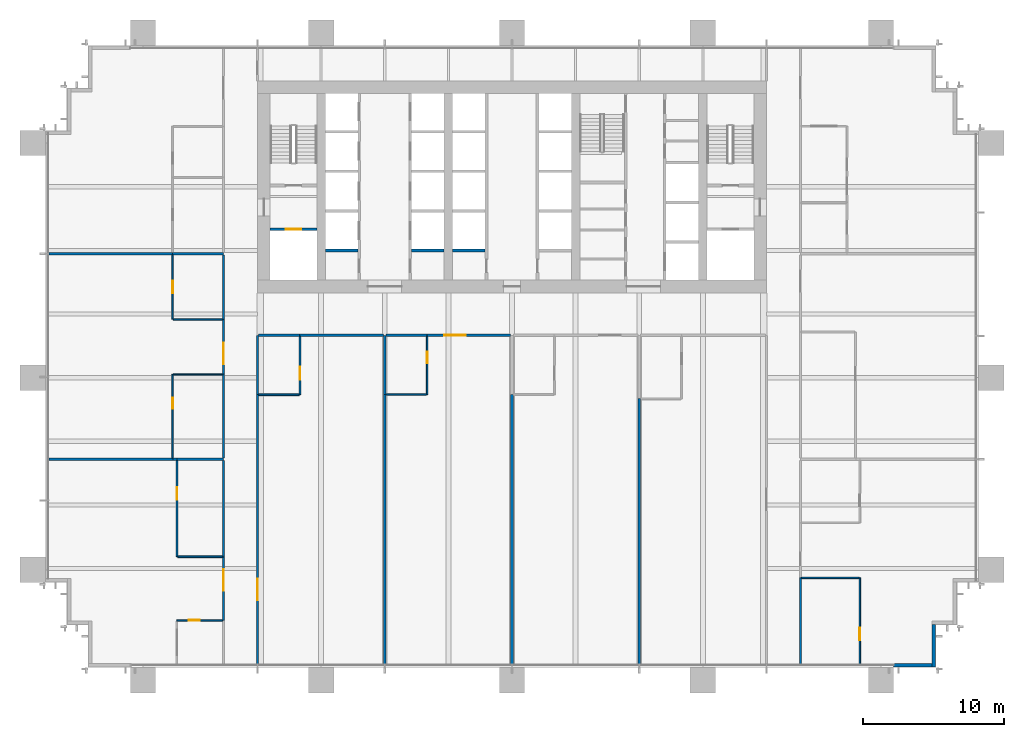
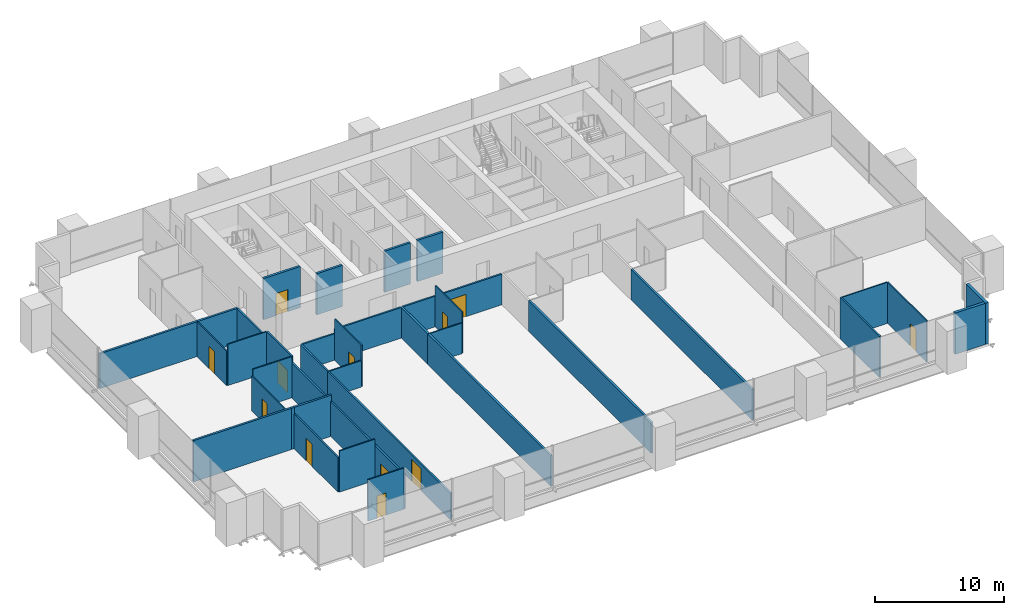
# One storey, part 11 of 17: 40 walls, 12 doors, 12 openings.
"""IFC4 building model written with IfcOpenShell, lengths in metres."""

import ifcopenshell
import ifcopenshell.guid

model = None  # the IFC model being written
_history = None  # IfcOwnerHistory: only IFC2X3 demands one
_inside = {}  # id of a spatial element -> (the spatial element, [elements in it])
_under = {}  # id of a project, library or spatial element -> (it, [spatial elements below it])
_declared = {}  # id of a project -> (the project, [libraries it declares])
_typed = {}  # id of a type object -> (the type object, [elements of that type])
_made_of = {}  # id of a material, layer set ... -> (it, [elements and type objects made of it])


def new_model(schema):
    """Start an empty IFC model of exactly this schema.

    Asked for "IFC4X3", IfcOpenShell would pick the latest addendum, in which some entities
    have other attributes; the version numbers below select the first issue.
    IFC2X3 requires an IfcOwnerHistory on every rooted entity: one is made here for all.
    """
    global model, _history
    if schema == "IFC4X3":
        model = ifcopenshell.file(schema_version=(4, 3, 0, 0))
    else:
        model = ifcopenshell.file(schema=schema)
    _inside.clear()
    _under.clear()
    _declared.clear()
    _typed.clear()
    _made_of.clear()
    _history = None
    if model.schema == "IFC2X3":
        org = make("IfcOrganization", Name="unknown")
        user = make(
            "IfcPersonAndOrganization",
            ThePerson=make("IfcPerson", FamilyName="unknown"),
            TheOrganization=org,
        )
        app = make(
            "IfcApplication",
            ApplicationDeveloper=org,
            Version="unknown",
            ApplicationFullName="unknown",
            ApplicationIdentifier="unknown",
        )
        _history = make(
            "IfcOwnerHistory",
            OwningUser=user,
            OwningApplication=app,
            ChangeAction="ADDED",
            CreationDate=0,
        )
    return model


def make(cls, **values):
    """One entity of the class cls with the attributes given. An attribute that is None is left unset."""
    return model.create_entity(
        cls, **{name: value for name, value in values.items() if value is not None}
    )


def rooted(cls, **values):
    """An entity with a GlobalId (a new one), such as an element, a storey or a relation."""
    return make(cls, GlobalId=ifcopenshell.guid.new(), OwnerHistory=_history, **values)


def si_unit(unit_type, name, prefix=None):
    """IfcSIUnit, for example si_unit("LENGTHUNIT", "METRE", prefix="MILLI")."""
    return make("IfcSIUnit", UnitType=unit_type, Prefix=prefix, Name=name)


def assignment(units):
    """IfcUnitAssignment: the units of a project."""
    return None if units is None else make("IfcUnitAssignment", Units=units)


def point(xyz):
    """IfcCartesianPoint."""
    return None if xyz is None else make("IfcCartesianPoint", Coordinates=xyz)


def direction(xyz):
    """IfcDirection."""
    return None if xyz is None else make("IfcDirection", DirectionRatios=xyz)


def frame(location, z_axis=None, x_axis=None):
    """IfcAxis2Placement3D, a coordinate frame: its origin and axes. An axis left out is left unset."""
    return make(
        "IfcAxis2Placement3D",
        Location=point(location),
        Axis=direction(z_axis),
        RefDirection=direction(x_axis),
    )


def frame_2d(location, x_axis=None):
    """IfcAxis2Placement2D, a coordinate frame in the plane: its origin and x axis."""
    return make(
        "IfcAxis2Placement2D", Location=point(location), RefDirection=direction(x_axis)
    )


def origin():
    """The frame at (0, 0, 0) with its axes left unset."""
    return frame((0.0, 0.0, 0.0))


def place(relative_to, where):
    """IfcLocalPlacement: puts the frame where relative to a parent placement (None: the world)."""
    return make(
        "IfcLocalPlacement", PlacementRelTo=relative_to, RelativePlacement=where
    )


def context(
    kind, dimensions, precision=None, world=None, true_north=None, identifier=None
):
    """IfcGeometricRepresentationContext, for example the 3D "Model" context."""
    return make(
        "IfcGeometricRepresentationContext",
        ContextIdentifier=identifier,
        ContextType=kind,
        CoordinateSpaceDimension=dimensions,
        Precision=precision,
        WorldCoordinateSystem=world,
        TrueNorth=true_north,
    )


def subcontext(parent, identifier, kind, view, scale=None):
    """IfcGeometricRepresentationSubContext, for example "Body" below "Model"."""
    return make(
        "IfcGeometricRepresentationSubContext",
        ContextIdentifier=identifier,
        ContextType=kind,
        ParentContext=parent,
        TargetScale=scale,
        TargetView=view,
    )


def project(units=None, contexts=None):
    """IfcProject with its units and contexts."""
    return rooted(
        "IfcProject",
        Name="project",
        RepresentationContexts=contexts,
        UnitsInContext=assignment(units),
    )


def spatial(cls, under=None, at=None, **own):
    """A site, building, storey or space (cls), placed at a placement, below another one or the project."""
    s = rooted(cls, ObjectPlacement=at, **own)
    if under is not None:
        _under.setdefault(under.id(), (under, []))[1].append(s)
    return s


def profile(cls, at=None, kind="AREA", **sizes):
    """A parametric profile (cls). Its sizes go by their IFC names, for example OverallWidth=200.0."""
    return make(cls, ProfileType=kind, Position=at, **sizes)


def rectangle(**sizes):
    """IfcRectangleProfileDef."""
    return profile("IfcRectangleProfileDef", **sizes)


def extrude(swept, where, along, depth):
    """IfcExtrudedAreaSolid: the profile swept, set in the frame where, extruded along a direction by depth."""
    return make(
        "IfcExtrudedAreaSolid",
        SweptArea=swept,
        Position=where,
        ExtrudedDirection=direction(along),
        Depth=depth,
    )


def shape(context_of_items, identifier, shape_type, items):
    """IfcShapeRepresentation: the items that make up one representation, for example the "Body"."""
    return make(
        "IfcShapeRepresentation",
        ContextOfItems=context_of_items,
        RepresentationIdentifier=identifier,
        RepresentationType=shape_type,
        Items=items,
    )


def material(Name=None, Category=None):
    """IfcMaterial."""
    return make("IfcMaterial", Name=Name, Category=Category)


def layer(
    of_material, thickness, ventilated=None, Name=None, Category=None, Priority=None
):
    """IfcMaterialLayer: one layer of a wall or slab, of a material (None: an air gap)."""
    return make(
        "IfcMaterialLayer",
        Material=of_material,
        LayerThickness=thickness,
        IsVentilated=ventilated,
        Name=Name,
        Category=Category,
        Priority=Priority,
    )


def layer_set(layers, Name=None):
    """IfcMaterialLayerSet."""
    return make("IfcMaterialLayerSet", MaterialLayers=layers, LayerSetName=Name)


def made_of(thing, what):
    """Note that an element or type object is made of a material, layer set ...; save() writes the relation."""
    if what is not None:
        _made_of.setdefault(what.id(), (what, []))[1].append(thing)
    return thing


def type_object(cls, material=None, **own):
    """A type object (cls), such as IfcWallType, which elements share."""
    return made_of(rooted(cls, **own), material)


def element(
    cls,
    number,
    at=None,
    inside=None,
    cuts=None,
    type_object=None,
    material=None,
    context=None,
    identifier="Body",
    shape_type=None,
    held_by="IfcProductDefinitionShape",
    body=None,
    shapes=None,
    **own,
):
    """One element of the class cls, such as IfcWall. Its Tag is "e" and its number.

    at: its placement. inside: the storey or other place that contains it. cuts: it is an
    opening in that element (IfcRelVoidsElement). A single representation is given by context,
    identifier, shape_type and body (its items); several are given by shapes. held_by: the class
    of the entity that holds the representations. save() writes the other relations.
    """
    e = rooted(cls, Tag="e%d" % number, ObjectPlacement=at, **own)
    if body is not None:
        shapes = [shape(context, identifier, shape_type, body)]
    if shapes is not None:
        e.Representation = make(held_by, Representations=shapes)
    if inside is not None:
        _inside.setdefault(inside.id(), (inside, []))[1].append(e)
    if cuts is not None:
        rooted(
            "IfcRelVoidsElement", RelatingBuildingElement=cuts, RelatedOpeningElement=e
        )
    if type_object is not None:
        _typed.setdefault(type_object.id(), (type_object, []))[1].append(e)
    return made_of(e, material)


def fill(opening, filler):
    """IfcRelFillsElement: the door or window that sits in an opening."""
    return rooted(
        "IfcRelFillsElement",
        RelatingOpeningElement=opening,
        RelatedBuildingElement=filler,
    )


def aggregate(whole, parts):
    """IfcRelAggregates: a whole, such as a stair, and the parts it consists of."""
    return rooted("IfcRelAggregates", RelatingObject=whole, RelatedObjects=parts)


def save(model, path):
    """Write the relations noted so far, then the file.

    IfcRelAggregates (storeys below a building ...), IfcRelContainedInSpatialStructure (elements
    in a storey), IfcRelDefinesByType, IfcRelAssociatesMaterial and IfcRelDeclares: one each for
    every whole, place, type object, material and project.
    """
    for whole, parts in _under.values():
        aggregate(whole, parts)
    for where, things in _inside.values():
        rooted(
            "IfcRelContainedInSpatialStructure",
            RelatedElements=things,
            RelatingStructure=where,
        )
    for kind, things in _typed.values():
        rooted("IfcRelDefinesByType", RelatedObjects=things, RelatingType=kind)
    for what, things in _made_of.values():
        rooted("IfcRelAssociatesMaterial", RelatedObjects=things, RelatingMaterial=what)
    for by, libraries in _declared.values():
        rooted("IfcRelDeclares", RelatingContext=by, RelatedDefinitions=libraries)
    model.write(path)


model = new_model("IFC4")

# Units and contexts
model_context = context("Model", 3, precision=1e-05, world=origin(), true_north=direction((0.0, 1.0)))
body_context = subcontext(model_context, "Body", "Model", "MODEL_VIEW")
ifc_project = project(units=[si_unit("LENGTHUNIT", "METRE"), si_unit("AREAUNIT", "SQUARE_METRE"), si_unit("VOLUMEUNIT", "CUBIC_METRE"), si_unit("PLANEANGLEUNIT", "RADIAN"), si_unit("MASSUNIT", "GRAM", prefix="KILO")], contexts=[model_context])

# Site, building, storey
site_placement = place(None, origin())
site = spatial("IfcSite", under=ifc_project, at=site_placement, CompositionType="ELEMENT")
building_placement = place(site_placement, origin())
building = spatial("IfcBuilding", under=site, at=building_placement, Name="Rattan Terrace Tower", CompositionType="ELEMENT")
storey_placement = place(building_placement, frame((0.0, 0.0, 61.10009765625)))
storey = spatial("IfcBuildingStorey", under=building, at=storey_placement, Name="L13", CompositionType="ELEMENT", Elevation=61.10009765625)

# Wall, opening, door
ifc_material_1 = material(Name="Gypsum board partition")
ifc_layer_1 = layer(ifc_material_1, 0.199951171875)
ifc_layer_set_1 = layer_set([ifc_layer_1], Name="Core partition 200")
wall_type_1 = type_object("IfcWallType", Name="Core partition 200", PredefinedType="PARTITIONING", material=ifc_layer_set_1)
wall_1_placement = place(storey_placement, frame((-17.10009765625, -3.0, 0.0), z_axis=(0.0, 0.0, 1.0), x_axis=(1.0, 0.0, 0.0)))
wall_1 = element("IfcWall", 1, at=wall_1_placement, inside=storey, type_object=wall_type_1, Name="Fire-fighting lobby wall", PredefinedType="PARTITIONING", context=body_context, shape_type="SweptSolid", body=[
    extrude(rectangle(XDim=3.300048828125, YDim=0.199951171875, at=frame_2d((1.64990234375, 0.0))), origin(), (0.0, 0.0, 1.0), 3.89990234375),
])
opening_1_placement = place(wall_1_placement, frame((1.10009765625, 0.0, 0.0)))
opening_1 = element("IfcOpeningElement", 2, at=opening_1_placement, cuts=wall_1, Name="Opening L13-LD-FF1", PredefinedType="OPENING", context=body_context, shape_type="SweptSolid", body=[
    extrude(rectangle(XDim=1.10009765625, YDim=2.10009765625, at=frame_2d((0.550048828125, 1.050048828125))), frame((0.0, 0.110595703125, 0.0), z_axis=(0.0, -1.0, 0.0), x_axis=(1.0, 0.0, 0.0)), (0.0, 0.0, 1.0), 0.220947265625),
])
ifc_material_2 = material(Name="Brushed stainless landing door panel")
door_type_1 = type_object("IfcDoorType", Name="Core lift landing door 1100", OperationType="DOUBLE_DOOR_SLIDING", PredefinedType="DOOR", material=ifc_material_2)
door_1_placement = place(opening_1_placement, origin())
door_1 = element("IfcDoor", 3, at=door_1_placement, inside=storey, type_object=door_type_1, Name="Door L13-LD-FF1", OperationType="DOUBLE_DOOR_SLIDING", OverallHeight=2.10009765625, OverallWidth=1.10009765625, PredefinedType="DOOR", context=body_context, shape_type="SweptSolid", body=[
    extrude(rectangle(XDim=1.10009765625, YDim=2.10009765625, at=frame_2d((0.550048828125, 1.050048828125))), frame((0.0, 0.02490234375, 0.0), z_axis=(0.0, -1.0, 0.0), x_axis=(1.0, 0.0, 0.0)), (0.0, 0.0, 1.0), 0.050048828125),
])
fill(opening_1, door_1)

# Walls
ifc_material_3 = material(Name="Insulated aluminium-clad stud wall", Category="aluminium")
ifc_layer_2 = layer(ifc_material_3, 0.25)
ifc_layer_set_2 = layer_set([ifc_layer_2], Name="Facade Riser Wall 250")
wall_type_2 = type_object("IfcWallType", Name="Facade Riser Wall 250", PredefinedType="SOLIDWALL", material=ifc_layer_set_2)
wall_2_placement = place(storey_placement, frame((27.0, -33.830078125, 0.0), z_axis=(0.0, 0.0, 1.0), x_axis=(1.0, 0.0, 0.0)))
element("IfcWall", 4, at=wall_2_placement, inside=storey, type_object=wall_type_2, Name="Riser wall L13-1", PredefinedType="SOLIDWALL", context=body_context, shape_type="SweptSolid", body=[
    extrude(rectangle(XDim=2.705078125, YDim=0.25, at=frame_2d((1.3525390625, 0.0))), origin(), (0.0, 0.0, 1.0), 3.89990234375),
])
wall_3_placement = place(storey_placement, frame((29.830078125, -33.955078125, 0.0), z_axis=(0.0, 0.0, 1.0), x_axis=(0.0, 1.0, 0.0)))
element("IfcWall", 5, at=wall_3_placement, inside=storey, type_object=wall_type_2, Name="Riser wall L13-2", PredefinedType="SOLIDWALL", context=body_context, shape_type="SweptSolid", body=[
    extrude(rectangle(XDim=3.0, YDim=0.25, at=frame_2d((1.5, 0.0))), origin(), (0.0, 0.0, 1.0), 3.89990234375),
])
ifc_material_4 = material(Name="Double steel stud acoustic partition, gypsum board, mineral wool, fire rated", Category="steel")
ifc_layer_3 = layer(ifc_material_4, 0.179931640625)
ifc_layer_set_3 = layer_set([ifc_layer_3], Name="Floors Acoustic Party Wall 180")
wall_type_3 = type_object("IfcWallType", Name="Floors Acoustic Party Wall 180", PredefinedType="PARTITIONING", material=ifc_layer_set_3)
wall_4_placement = place(storey_placement, frame((-32.739990234375, -19.27294921875, 0.0), z_axis=(0.0, 0.0, 1.0), x_axis=(1.0, 0.0, 0.0)))
element("IfcWall", 6, at=wall_4_placement, inside=storey, type_object=wall_type_3, Name="pt-L13-035", PredefinedType="PARTITIONING", context=body_context, shape_type="SweptSolid", body=[
    extrude(rectangle(XDim=8.760009765625, YDim=0.179931640625, at=frame_2d((4.3798828125, 0.0))), origin(), (0.0, 0.0, 1.0), 3.89990234375),
])
wall_5_placement = place(storey_placement, frame((-23.97998046875, -19.27294921875, 0.0), z_axis=(0.0, 0.0, 1.0), x_axis=(1.0, 0.0, 0.0)))
element("IfcWall", 7, at=wall_5_placement, inside=storey, type_object=wall_type_3, Name="pt-L13-036", PredefinedType="PARTITIONING", context=body_context, shape_type="SweptSolid", body=[
    extrude(rectangle(XDim=0.280029296875, YDim=0.179931640625, at=frame_2d((0.14013671875, 0.0))), origin(), (0.0, 0.0, 1.0), 3.89990234375),
])
wall_6_placement = place(storey_placement, frame((-23.699951171875, -19.27294921875, 0.0), z_axis=(0.0, 0.0, 1.0), x_axis=(1.0, 0.0, 0.0)))
element("IfcWall", 8, at=wall_6_placement, inside=storey, type_object=wall_type_3, Name="pt-L13-037", PredefinedType="PARTITIONING", context=body_context, shape_type="SweptSolid", body=[
    extrude(rectangle(XDim=3.300048828125, YDim=0.179931640625, at=frame_2d((1.64990234375, 0.0))), origin(), (0.0, 0.0, 1.0), 3.89990234375),
])
wall_7_placement = place(storey_placement, frame((-32.739990234375, -4.72705078125, 0.0), z_axis=(0.0, 0.0, 1.0), x_axis=(1.0, 0.0, 0.0)))
element("IfcWall", 9, at=wall_7_placement, inside=storey, type_object=wall_type_3, Name="pt-L13-042", PredefinedType="PARTITIONING", context=body_context, shape_type="SweptSolid", body=[
    extrude(rectangle(XDim=8.739990234375, YDim=0.179931640625, at=frame_2d((4.3701171875, 0.0))), origin(), (0.0, 0.0, 1.0), 3.2998046875),
])
wall_8_placement = place(storey_placement, frame((-24.0, -4.72705078125, 0.0), z_axis=(0.0, 0.0, 1.0), x_axis=(1.0, 0.0, 0.0)))
element("IfcWall", 10, at=wall_8_placement, inside=storey, type_object=wall_type_3, Name="pt-L13-043", PredefinedType="PARTITIONING", context=body_context, shape_type="SweptSolid", body=[
    extrude(rectangle(XDim=3.60009765625, YDim=0.179931640625, at=frame_2d((1.800048828125, 0.0))), origin(), (0.0, 0.0, 1.0), 3.2998046875),
])
wall_9_placement = place(storey_placement, frame((-9.0, -14.679931640625, 0.0), z_axis=(0.0, 0.0, 1.0), x_axis=(0.0, -1.0, 0.0)))
element("IfcWall", 11, at=wall_9_placement, inside=storey, type_object=wall_type_3, Name="pt-L13-065", PredefinedType="PARTITIONING", context=body_context, shape_type="SweptSolid", body=[
    extrude(rectangle(XDim=19.06005859375, YDim=0.179931640625, at=frame_2d((9.530029296875, 0.0))), origin(), (0.0, 0.0, 1.0), 2.89990234375),
])
wall_10_placement = place(storey_placement, frame((-9.0, -10.5, 0.0), z_axis=(0.0, 0.0, 1.0), x_axis=(0.0, -1.0, 0.0)))
element("IfcWall", 12, at=wall_10_placement, inside=storey, type_object=wall_type_3, Name="pt-L13-066", PredefinedType="PARTITIONING", context=body_context, shape_type="SweptSolid", body=[
    extrude(rectangle(XDim=4.179931640625, YDim=0.179931640625, at=frame_2d((2.08984375, 0.0))), origin(), (0.0, 0.0, 1.0), 2.89990234375),
])
wall_11_placement = place(storey_placement, frame((0.0, -14.679931640625, 0.0), z_axis=(0.0, 0.0, 1.0), x_axis=(0.0, -1.0, 0.0)))
element("IfcWall", 13, at=wall_11_placement, inside=storey, type_object=wall_type_3, Name="pt-L13-069", PredefinedType="PARTITIONING", context=body_context, shape_type="SweptSolid", body=[
    extrude(rectangle(XDim=19.06005859375, YDim=0.179931640625, at=frame_2d((9.530029296875, 0.0))), origin(), (0.0, 0.0, 1.0), 2.89990234375),
])
wall_12_placement = place(storey_placement, frame((9.0, -14.97998046875, 0.0), z_axis=(0.0, 0.0, 1.0), x_axis=(0.0, -1.0, 0.0)))
element("IfcWall", 14, at=wall_12_placement, inside=storey, type_object=wall_type_3, Name="pt-L13-073", PredefinedType="PARTITIONING", context=body_context, shape_type="SweptSolid", body=[
    extrude(rectangle(XDim=18.760009765625, YDim=0.179931640625, at=frame_2d((9.3798828125, 0.0))), origin(), (0.0, 0.0, 1.0), 2.89990234375),
])

# Wall, opening, door
ifc_material_5 = material(Name="Gypsum board partition on steel studs", Category="steel")
ifc_layer_4 = layer(ifc_material_5, 0.10009765625)
ifc_layer_set_4 = layer_set([ifc_layer_4], Name="Floors Partition 100")
wall_type_4 = type_object("IfcWallType", Name="Floors Partition 100", PredefinedType="PARTITIONING", material=ifc_layer_set_4)
wall_13_placement = place(storey_placement, frame((-20.47509765625, -30.659912109375, 0.0), z_axis=(0.0, 0.0, 1.0), x_axis=(-1.0, 0.0, 0.0)))
wall_13 = element("IfcWall", 15, at=wall_13_placement, inside=storey, type_object=wall_type_4, Name="pt-L13-032", PredefinedType="PARTITIONING", context=body_context, shape_type="SweptSolid", body=[
    extrude(rectangle(XDim=3.224853515625, YDim=0.10009765625, at=frame_2d((1.6123046875, 0.0))), origin(), (0.0, 0.0, 1.0), 3.89990234375),
])
opening_2_placement = place(wall_13_placement, frame((1.596923828125, 0.0, 0.0)))
opening_2 = element("IfcOpeningElement", 16, at=opening_2_placement, cuts=wall_13, Name="Opening L13-D101", PredefinedType="OPENING", context=body_context, shape_type="SweptSolid", body=[
    extrude(rectangle(XDim=0.800048828125, YDim=2.10009765625, at=frame_2d((0.39990234375, 1.050048828125))), frame((0.0, 0.060546875, 0.0), z_axis=(0.0, -1.0, 0.0), x_axis=(1.0, 0.0, 0.0)), (0.0, 0.0, 1.0), 0.12109375),
])
ifc_material_6 = material(Name="Solid core timber door, painted", Category="wood")
door_type_2 = type_object("IfcDoorType", Name="Floors Store Door 800x2100", OperationType="NOTDEFINED", PredefinedType="DOOR", material=ifc_material_6)
door_2_placement = place(opening_2_placement, origin())
door_2 = element("IfcDoor", 17, at=door_2_placement, inside=storey, type_object=door_type_2, Name="d-L13-101", OperationType="SINGLE_SWING_RIGHT", OverallHeight=2.10009765625, OverallWidth=0.800048828125, PredefinedType="DOOR", context=body_context, shape_type="SweptSolid", body=[
    extrude(rectangle(XDim=0.800048828125, YDim=2.10009765625, at=frame_2d((0.39990234375, 1.050048828125))), frame((0.0, 0.02490234375, 0.0), z_axis=(0.0, -1.0, 0.0), x_axis=(1.0, 0.0, 0.0)), (0.0, 0.0, 1.0), 0.050048828125),
])
fill(opening_2, door_2)

wall_14_placement = place(storey_placement, frame((-24.0, -13.27294921875, 0.0), z_axis=(0.0, 0.0, 1.0), x_axis=(0.0, -1.0, 0.0)))
wall_14 = element("IfcWall", 18, at=wall_14_placement, inside=storey, type_object=wall_type_4, Name="pt-L13-038", PredefinedType="PARTITIONING", context=body_context, shape_type="SweptSolid", body=[
    extrude(rectangle(XDim=5.91015625, YDim=0.10009765625, at=frame_2d((2.955078125, 0.0))), origin(), (0.0, 0.0, 1.0), 3.2998046875),
])
opening_3_placement = place(wall_14_placement, frame((1.633056640625, 0.0, 0.0)))
opening_3 = element("IfcOpeningElement", 19, at=opening_3_placement, cuts=wall_14, Name="Opening L13-D104", PredefinedType="OPENING", context=body_context, shape_type="SweptSolid", body=[
    extrude(rectangle(XDim=0.800048828125, YDim=2.10009765625, at=frame_2d((0.39990234375, 1.050048828125))), frame((0.0, 0.060546875, 0.0), z_axis=(0.0, -1.0, 0.0), x_axis=(1.0, 0.0, 0.0)), (0.0, 0.0, 1.0), 0.12109375),
])
door_3_placement = place(opening_3_placement, origin())
door_3 = element("IfcDoor", 20, at=door_3_placement, inside=storey, type_object=door_type_2, Name="d-L13-104", OperationType="SINGLE_SWING_LEFT", OverallHeight=2.10009765625, OverallWidth=0.800048828125, PredefinedType="DOOR", context=body_context, shape_type="SweptSolid", body=[
    extrude(rectangle(XDim=0.800048828125, YDim=2.10009765625, at=frame_2d((0.39990234375, 1.050048828125))), frame((0.0, 0.02490234375, 0.0), z_axis=(0.0, -1.0, 0.0), x_axis=(1.0, 0.0, 0.0)), (0.0, 0.0, 1.0), 0.050048828125),
])
fill(opening_3, door_3)

# Wall
wall_15_placement = place(storey_placement, frame((-20.47509765625, -13.27294921875, 0.0), z_axis=(0.0, 0.0, 1.0), x_axis=(-1.0, 0.0, 0.0)))
element("IfcWall", 21, at=wall_15_placement, inside=storey, type_object=wall_type_4, Name="pt-L13-039", PredefinedType="PARTITIONING", context=body_context, shape_type="SweptSolid", body=[
    extrude(rectangle(XDim=3.474853515625, YDim=0.10009765625, at=frame_2d((1.7373046875, 0.0))), origin(), (0.0, 0.0, 1.0), 3.89990234375),
])

# Wall, opening, door
wall_16_placement = place(storey_placement, frame((-24.0, -4.81689453125, 0.0), z_axis=(0.0, 0.0, 1.0), x_axis=(0.0, -1.0, 0.0)))
wall_16 = element("IfcWall", 22, at=wall_16_placement, inside=storey, type_object=wall_type_4, Name="pt-L13-040", PredefinedType="PARTITIONING", context=body_context, shape_type="SweptSolid", body=[
    extrude(rectangle(XDim=4.55615234375, YDim=0.10009765625, at=frame_2d((2.278076171875, 0.0))), origin(), (0.0, 0.0, 1.0), 3.2998046875),
])
opening_4_placement = place(wall_16_placement, frame((1.827880859375, 0.0, 0.0)))
opening_4 = element("IfcOpeningElement", 23, at=opening_4_placement, cuts=wall_16, Name="Opening L13-D105", PredefinedType="OPENING", context=body_context, shape_type="SweptSolid", body=[
    extrude(rectangle(XDim=0.89990234375, YDim=2.10009765625, at=frame_2d((0.449951171875, 1.050048828125))), frame((0.0, 0.060546875, 0.0), z_axis=(0.0, -1.0, 0.0), x_axis=(1.0, 0.0, 0.0)), (0.0, 0.0, 1.0), 0.12109375),
])
ifc_material_7 = material(Name="Solid core timber door, painted", Category="wood")
door_type_3 = type_object("IfcDoorType", Name="Floors Door 900x2100", OperationType="NOTDEFINED", PredefinedType="DOOR", material=ifc_material_7)
door_4_placement = place(opening_4_placement, origin())
door_4 = element("IfcDoor", 24, at=door_4_placement, inside=storey, type_object=door_type_3, Name="d-L13-105", OperationType="SINGLE_SWING_RIGHT", OverallHeight=2.10009765625, OverallWidth=0.89990234375, PredefinedType="DOOR", context=body_context, shape_type="SweptSolid", body=[
    extrude(rectangle(XDim=0.89990234375, YDim=2.10009765625, at=frame_2d((0.449951171875, 1.050048828125))), frame((0.0, 0.02490234375, 0.0), z_axis=(0.0, -1.0, 0.0), x_axis=(1.0, 0.0, 0.0)), (0.0, 0.0, 1.0), 0.050048828125),
])
fill(opening_4, door_4)

# Walls
wall_17_placement = place(storey_placement, frame((-23.949951171875, -9.373046875, 0.0), z_axis=(0.0, 0.0, 1.0), x_axis=(1.0, 0.0, 0.0)))
element("IfcWall", 25, at=wall_17_placement, inside=storey, type_object=wall_type_4, Name="pt-L13-041", PredefinedType="PARTITIONING", context=body_context, shape_type="SweptSolid", body=[
    extrude(rectangle(XDim=3.474853515625, YDim=0.10009765625, at=frame_2d((1.7373046875, 0.0))), origin(), (0.0, 0.0, 1.0), 3.89990234375),
])
wall_18_placement = place(storey_placement, frame((24.550048828125, -27.659912109375, 0.0), z_axis=(0.0, 0.0, 1.0), x_axis=(-1.0, 0.0, 0.0)))
element("IfcWall", 26, at=wall_18_placement, inside=storey, type_object=wall_type_4, Name="pt-L13-048", PredefinedType="PARTITIONING", context=body_context, shape_type="SweptSolid", body=[
    extrude(rectangle(XDim=4.074951171875, YDim=0.10009765625, at=frame_2d((2.03759765625, 0.0))), origin(), (0.0, 0.0, 1.0), 3.89990234375),
])

# Wall, opening, door
wall_19_placement = place(storey_placement, frame((24.60009765625, -33.739990234375, 0.0), z_axis=(0.0, 0.0, 1.0), x_axis=(0.0, 1.0, 0.0)))
wall_19 = element("IfcWall", 27, at=wall_19_placement, inside=storey, type_object=wall_type_4, Name="pt-L13-049", PredefinedType="PARTITIONING", context=body_context, shape_type="SweptSolid", body=[
    extrude(rectangle(XDim=6.080078125, YDim=0.10009765625, at=frame_2d((3.0400390625, 0.0))), origin(), (0.0, 0.0, 1.0), 3.89990234375),
])
opening_5_placement = place(wall_19_placement, frame((1.654052734375, 0.0, 0.0)))
opening_5 = element("IfcOpeningElement", 28, at=opening_5_placement, cuts=wall_19, Name="Opening L13-D110", PredefinedType="OPENING", context=body_context, shape_type="SweptSolid", body=[
    extrude(rectangle(XDim=0.89990234375, YDim=2.10009765625, at=frame_2d((0.449951171875, 1.050048828125))), frame((0.0, 0.060546875, 0.0), z_axis=(0.0, -1.0, 0.0), x_axis=(1.0, 0.0, 0.0)), (0.0, 0.0, 1.0), 0.12109375),
])
door_5_placement = place(opening_5_placement, origin())
door_5 = element("IfcDoor", 29, at=door_5_placement, inside=storey, type_object=door_type_3, Name="d-L13-110", OperationType="SINGLE_SWING_LEFT", OverallHeight=2.10009765625, OverallWidth=0.89990234375, PredefinedType="DOOR", context=body_context, shape_type="SweptSolid", body=[
    extrude(rectangle(XDim=0.89990234375, YDim=2.10009765625, at=frame_2d((0.449951171875, 1.050048828125))), frame((0.0, 0.02490234375, 0.0), z_axis=(0.0, -1.0, 0.0), x_axis=(1.0, 0.0, 0.0)), (0.0, 0.0, 1.0), 0.050048828125),
])
fill(opening_5, door_5)

# Wall
wall_20_placement = place(storey_placement, frame((-8.909912109375, -14.699951171875, 0.0), z_axis=(0.0, 0.0, 1.0), x_axis=(1.0, 0.0, 0.0)))
element("IfcWall", 30, at=wall_20_placement, inside=storey, type_object=wall_type_4, Name="pt-L13-067", PredefinedType="PARTITIONING", context=body_context, shape_type="SweptSolid", body=[
    extrude(rectangle(XDim=2.85986328125, YDim=0.10009765625, at=frame_2d((1.429931640625, 0.0))), origin(), (0.0, 0.0, 1.0), 2.89990234375),
])

# Wall, opening, door
wall_21_placement = place(storey_placement, frame((-6.0, -14.699951171875, 0.0), z_axis=(0.0, 0.0, 1.0), x_axis=(0.0, 1.0, 0.0)))
wall_21 = element("IfcWall", 31, at=wall_21_placement, inside=storey, type_object=wall_type_4, Name="pt-L13-068", PredefinedType="PARTITIONING", context=body_context, shape_type="SweptSolid", body=[
    extrude(rectangle(XDim=4.125, YDim=0.10009765625, at=frame_2d((2.0625, 0.0))), origin(), (0.0, 0.0, 1.0), 3.89990234375),
])
opening_6_placement = place(wall_21_placement, frame((2.22802734375, 0.0, 0.0)))
opening_6 = element("IfcOpeningElement", 32, at=opening_6_placement, cuts=wall_21, Name="Opening L13-D121", PredefinedType="OPENING", context=body_context, shape_type="SweptSolid", body=[
    extrude(rectangle(XDim=0.800048828125, YDim=2.10009765625, at=frame_2d((0.39990234375, 1.050048828125))), frame((0.0, 0.060546875, 0.0), z_axis=(0.0, -1.0, 0.0), x_axis=(1.0, 0.0, 0.0)), (0.0, 0.0, 1.0), 0.12109375),
])
door_6_placement = place(opening_6_placement, origin())
door_6 = element("IfcDoor", 33, at=door_6_placement, inside=storey, type_object=door_type_2, Name="d-L13-121", OperationType="SINGLE_SWING_RIGHT", OverallHeight=2.10009765625, OverallWidth=0.800048828125, PredefinedType="DOOR", context=body_context, shape_type="SweptSolid", body=[
    extrude(rectangle(XDim=0.800048828125, YDim=2.10009765625, at=frame_2d((0.39990234375, 1.050048828125))), frame((0.0, 0.02490234375, 0.0), z_axis=(0.0, -1.0, 0.0), x_axis=(1.0, 0.0, 0.0)), (0.0, 0.0, 1.0), 0.050048828125),
])
fill(opening_6, door_6)

ifc_material_8 = material(Name="Gypsum board partition on steel studs, fire rated", Category="steel")
ifc_layer_5 = layer(ifc_material_8, 0.14990234375)
ifc_layer_set_5 = layer_set([ifc_layer_5], Name="Floors Tenancy Wall 150")
wall_type_5 = type_object("IfcWallType", Name="Floors Tenancy Wall 150", PredefinedType="PARTITIONING", material=ifc_layer_set_5)
wall_22_placement = place(storey_placement, frame((-20.39990234375, -30.679931640625, 0.0), z_axis=(0.0, 0.0, 1.0), x_axis=(0.0, 1.0, 0.0)))
wall_22 = element("IfcWall", 34, at=wall_22_placement, inside=storey, type_object=wall_type_5, Name="pt-L13-001", PredefinedType="PARTITIONING", context=body_context, shape_type="SweptSolid", body=[
    extrude(rectangle(XDim=4.5, YDim=0.14990234375, at=frame_2d((2.25, 0.0))), origin(), (0.0, 0.0, 1.0), 3.2998046875),
])
opening_7_placement = place(wall_22_placement, frame((2.125, 0.0, 0.0)))
opening_7 = element("IfcOpeningElement", 35, at=opening_7_placement, cuts=wall_22, Name="Opening L13-D100", PredefinedType="OPENING", context=body_context, shape_type="SweptSolid", body=[
    extrude(rectangle(XDim=1.5, YDim=2.10009765625, at=frame_2d((0.75, 1.050048828125))), frame((0.0, 0.08544921875, 0.0), z_axis=(0.0, -1.0, 0.0), x_axis=(1.0, 0.0, 0.0)), (0.0, 0.0, 1.0), 0.1708984375),
])
ifc_material_9 = material(Name="Steel fire door set", Category="steel")
door_type_4 = type_object("IfcDoorType", Name="Floors Unit Door Pair FD30S 1500x2100", OperationType="NOTDEFINED", PredefinedType="DOOR", material=ifc_material_9)
door_7_placement = place(opening_7_placement, origin())
door_7 = element("IfcDoor", 36, at=door_7_placement, inside=storey, type_object=door_type_4, Name="d-L13-100", OperationType="DOUBLE_DOOR_SINGLE_SWING", OverallHeight=2.10009765625, OverallWidth=1.5, PredefinedType="DOOR", context=body_context, shape_type="SweptSolid", body=[
    extrude(rectangle(XDim=1.5, YDim=2.10009765625, at=frame_2d((0.75, 1.050048828125))), frame((0.0, 0.02490234375, 0.0), z_axis=(0.0, -1.0, 0.0), x_axis=(1.0, 0.0, 0.0)), (0.0, 0.0, 1.0), 0.050048828125),
])
fill(opening_7, door_7)

# Wall
wall_23_placement = place(storey_placement, frame((-20.39990234375, -26.179931640625, 0.0), z_axis=(0.0, 0.0, 1.0), x_axis=(0.0, 1.0, 0.0)))
element("IfcWall", 37, at=wall_23_placement, inside=storey, type_object=wall_type_5, Name="pt-L13-003", PredefinedType="PARTITIONING", context=body_context, shape_type="SweptSolid", body=[
    extrude(rectangle(XDim=6.81689453125, YDim=0.14990234375, at=frame_2d((3.408447265625, 0.0))), origin(), (0.0, 0.0, 1.0), 3.2998046875),
])

# Wall, opening, door
wall_24_placement = place(storey_placement, frame((-20.39990234375, -13.2529296875, 0.0), z_axis=(0.0, 0.0, 1.0), x_axis=(0.0, 1.0, 0.0)))
wall_24 = element("IfcWall", 38, at=wall_24_placement, inside=storey, type_object=wall_type_5, Name="pt-L13-004", PredefinedType="PARTITIONING", context=body_context, shape_type="SweptSolid", body=[
    extrude(rectangle(XDim=3.85986328125, YDim=0.14990234375, at=frame_2d((1.929931640625, 0.0))), origin(), (0.0, 0.0, 1.0), 3.89990234375),
])
opening_8_placement = place(wall_24_placement, frame((0.715087890625, 0.0, 0.0)))
opening_8 = element("IfcOpeningElement", 39, at=opening_8_placement, cuts=wall_24, Name="Opening L13-D103", PredefinedType="OPENING", context=body_context, shape_type="SweptSolid", body=[
    extrude(rectangle(XDim=1.5, YDim=2.10009765625, at=frame_2d((0.75, 1.050048828125))), frame((0.0, 0.08544921875, 0.0), z_axis=(0.0, -1.0, 0.0), x_axis=(1.0, 0.0, 0.0)), (0.0, 0.0, 1.0), 0.1708984375),
])
door_8_placement = place(opening_8_placement, origin())
door_8 = element("IfcDoor", 40, at=door_8_placement, inside=storey, type_object=door_type_4, Name="d-L13-103", OperationType="DOUBLE_DOOR_SINGLE_SWING", OverallHeight=2.10009765625, OverallWidth=1.5, PredefinedType="DOOR", context=body_context, shape_type="SweptSolid", body=[
    extrude(rectangle(XDim=1.5, YDim=2.10009765625, at=frame_2d((0.75, 1.050048828125))), frame((0.0, 0.02490234375, 0.0), z_axis=(0.0, -1.0, 0.0), x_axis=(1.0, 0.0, 0.0)), (0.0, 0.0, 1.0), 0.050048828125),
])
fill(opening_8, door_8)

# Walls
wall_25_placement = place(storey_placement, frame((-20.39990234375, -19.18310546875, 0.0), z_axis=(0.0, 0.0, 1.0), x_axis=(0.0, 1.0, 0.0)))
element("IfcWall", 41, at=wall_25_placement, inside=storey, type_object=wall_type_5, Name="pt-L13-005", PredefinedType="PARTITIONING", context=body_context, shape_type="SweptSolid", body=[
    extrude(rectangle(XDim=5.93017578125, YDim=0.14990234375, at=frame_2d((2.965087890625, 0.0))), origin(), (0.0, 0.0, 1.0), 3.2998046875),
])
wall_26_placement = place(storey_placement, frame((-20.39990234375, -9.39306640625, 0.0), z_axis=(0.0, 0.0, 1.0), x_axis=(0.0, 1.0, 0.0)))
element("IfcWall", 42, at=wall_26_placement, inside=storey, type_object=wall_type_5, Name="pt-L13-006", PredefinedType="PARTITIONING", context=body_context, shape_type="SweptSolid", body=[
    extrude(rectangle(XDim=4.576171875, YDim=0.14990234375, at=frame_2d((2.2880859375, 0.0))), origin(), (0.0, 0.0, 1.0), 3.2998046875),
])
wall_27_placement = place(storey_placement, frame((20.39990234375, -27.639892578125, 0.0), z_axis=(0.0, 0.0, 1.0), x_axis=(0.0, -1.0, 0.0)))
element("IfcWall", 43, at=wall_27_placement, inside=storey, type_object=wall_type_5, Name="pt-L13-011", PredefinedType="PARTITIONING", context=body_context, shape_type="SweptSolid", body=[
    extrude(rectangle(XDim=6.10009765625, YDim=0.14990234375, at=frame_2d((3.050048828125, 0.0))), origin(), (0.0, 0.0, 1.0), 3.89990234375),
])

# Wall, opening, door
wall_28_placement = place(storey_placement, frame((-18.0, -14.679931640625, 0.0), z_axis=(0.0, 0.0, 1.0), x_axis=(0.0, -1.0, 0.0)))
wall_28 = element("IfcWall", 44, at=wall_28_placement, inside=storey, type_object=wall_type_5, Name="pt-L13-020", PredefinedType="PARTITIONING", context=body_context, shape_type="SweptSolid", body=[
    extrude(rectangle(XDim=19.06005859375, YDim=0.14990234375, at=frame_2d((9.530029296875, 0.0))), origin(), (0.0, 0.0, 1.0), 2.5),
])
opening_9_placement = place(wall_28_placement, frame((13.044921875, 0.0, 0.0)))
opening_9 = element("IfcOpeningElement", 45, at=opening_9_placement, cuts=wall_28, Name="Opening L13-D118", PredefinedType="OPENING", context=body_context, shape_type="SweptSolid", body=[
    extrude(rectangle(XDim=1.5, YDim=2.10009765625, at=frame_2d((0.75, 1.050048828125))), frame((0.0, 0.08544921875, 0.0), z_axis=(0.0, -1.0, 0.0), x_axis=(1.0, 0.0, 0.0)), (0.0, 0.0, 1.0), 0.1708984375),
])
door_9_placement = place(opening_9_placement, origin())
door_9 = element("IfcDoor", 46, at=door_9_placement, inside=storey, type_object=door_type_4, Name="d-L13-118", OperationType="DOUBLE_DOOR_SINGLE_SWING", OverallHeight=2.10009765625, OverallWidth=1.5, PredefinedType="DOOR", context=body_context, shape_type="SweptSolid", body=[
    extrude(rectangle(XDim=1.5, YDim=2.10009765625, at=frame_2d((0.75, 1.050048828125))), frame((0.0, 0.02490234375, 0.0), z_axis=(0.0, -1.0, 0.0), x_axis=(1.0, 0.0, 0.0)), (0.0, 0.0, 1.0), 0.050048828125),
])
fill(opening_9, door_9)

# Walls
wall_29_placement = place(storey_placement, frame((-9.090087890625, -10.5, 0.0), z_axis=(0.0, 0.0, 1.0), x_axis=(-1.0, 0.0, 0.0)))
element("IfcWall", 47, at=wall_29_placement, inside=storey, type_object=wall_type_5, Name="pt-L13-021", PredefinedType="PARTITIONING", context=body_context, shape_type="SweptSolid", body=[
    extrude(rectangle(XDim=5.929931640625, YDim=0.14990234375, at=frame_2d((2.96484375, 0.0))), origin(), (0.0, 0.0, 1.0), 2.89990234375),
])
wall_30_placement = place(storey_placement, frame((-18.0, -10.5, 0.0), z_axis=(0.0, 0.0, 1.0), x_axis=(0.0, -1.0, 0.0)))
element("IfcWall", 48, at=wall_30_placement, inside=storey, type_object=wall_type_5, Name="pt-L13-022", PredefinedType="PARTITIONING", context=body_context, shape_type="SweptSolid", body=[
    extrude(rectangle(XDim=4.179931640625, YDim=0.14990234375, at=frame_2d((2.08984375, 0.0))), origin(), (0.0, 0.0, 1.0), 2.5),
])
wall_31_placement = place(storey_placement, frame((-15.02001953125, -10.5, 0.0), z_axis=(0.0, 0.0, 1.0), x_axis=(-1.0, 0.0, 0.0)))
element("IfcWall", 49, at=wall_31_placement, inside=storey, type_object=wall_type_5, Name="pt-L13-023", PredefinedType="PARTITIONING", context=body_context, shape_type="SweptSolid", body=[
    extrude(rectangle(XDim=2.905029296875, YDim=0.14990234375, at=frame_2d((1.45263671875, 0.0))), origin(), (0.0, 0.0, 1.0), 2.5),
])

# Wall, opening, door
wall_32_placement = place(storey_placement, frame((-0.090087890625, -10.5, 0.0), z_axis=(0.0, 0.0, 1.0), x_axis=(-1.0, 0.0, 0.0)))
wall_32 = element("IfcWall", 50, at=wall_32_placement, inside=storey, type_object=wall_type_5, Name="pt-L13-024", PredefinedType="PARTITIONING", context=body_context, shape_type="SweptSolid", body=[
    extrude(rectangle(XDim=5.929931640625, YDim=0.14990234375, at=frame_2d((2.96484375, 0.0))), origin(), (0.0, 0.0, 1.0), 2.89990234375),
])
opening_10_placement = place(wall_32_placement, frame((3.197021484375, 0.0, 0.0)))
opening_10 = element("IfcOpeningElement", 51, at=opening_10_placement, cuts=wall_32, Name="Opening L13-D120", PredefinedType="OPENING", context=body_context, shape_type="SweptSolid", body=[
    extrude(rectangle(XDim=1.5, YDim=2.10009765625, at=frame_2d((0.75, 1.050048828125))), frame((0.0, 0.08544921875, 0.0), z_axis=(0.0, -1.0, 0.0), x_axis=(1.0, 0.0, 0.0)), (0.0, 0.0, 1.0), 0.1708984375),
])
door_10_placement = place(opening_10_placement, origin())
door_10 = element("IfcDoor", 52, at=door_10_placement, inside=storey, type_object=door_type_4, Name="d-L13-120", OperationType="DOUBLE_DOOR_SINGLE_SWING", OverallHeight=2.10009765625, OverallWidth=1.5, PredefinedType="DOOR", context=body_context, shape_type="SweptSolid", body=[
    extrude(rectangle(XDim=1.5, YDim=2.10009765625, at=frame_2d((0.75, 1.050048828125))), frame((0.0, 0.02490234375, 0.0), z_axis=(0.0, -1.0, 0.0), x_axis=(1.0, 0.0, 0.0)), (0.0, 0.0, 1.0), 0.050048828125),
])
fill(opening_10, door_10)

# Wall
wall_33_placement = place(storey_placement, frame((-6.02001953125, -10.5, 0.0), z_axis=(0.0, 0.0, 1.0), x_axis=(-1.0, 0.0, 0.0)))
element("IfcWall", 53, at=wall_33_placement, inside=storey, type_object=wall_type_5, Name="pt-L13-025", PredefinedType="PARTITIONING", context=body_context, shape_type="SweptSolid", body=[
    extrude(rectangle(XDim=2.889892578125, YDim=0.14990234375, at=frame_2d((1.44482421875, 0.0))), origin(), (0.0, 0.0, 1.0), 2.89990234375),
])

# Wall, opening, door
ifc_material_10 = material(Name="Moisture resistant gypsum board partition on steel studs with service cavity", Category="steel")
ifc_layer_6 = layer(ifc_material_10, 0.1201171875)
ifc_layer_set_6 = layer_set([ifc_layer_6], Name="Floors Wet Wall 120")
wall_type_6 = type_object("IfcWallType", Name="Floors Wet Wall 120", PredefinedType="PARTITIONING", material=ifc_layer_set_6)
wall_34_placement = place(storey_placement, frame((-23.699951171875, -19.363037109375, 0.0), z_axis=(0.0, 0.0, 1.0), x_axis=(0.0, -1.0, 0.0)))
wall_34 = element("IfcWall", 54, at=wall_34_placement, inside=storey, type_object=wall_type_6, Name="pt-L13-033", PredefinedType="PARTITIONING", context=body_context, shape_type="SweptSolid", body=[
    extrude(rectangle(XDim=6.796875, YDim=0.1201171875, at=frame_2d((3.3984375, 0.0))), origin(), (0.0, 0.0, 1.0), 3.2998046875),
])
opening_11_placement = place(wall_34_placement, frame((1.868896484375, 0.0, 0.0)))
opening_11 = element("IfcOpeningElement", 55, at=opening_11_placement, cuts=wall_34, Name="Opening L13-D102", PredefinedType="OPENING", context=body_context, shape_type="SweptSolid", body=[
    extrude(rectangle(XDim=0.89990234375, YDim=2.10009765625, at=frame_2d((0.449951171875, 1.050048828125))), frame((0.0, 0.070556640625, 0.0), z_axis=(0.0, -1.0, 0.0), x_axis=(1.0, 0.0, 0.0)), (0.0, 0.0, 1.0), 0.14111328125),
])
door_11_placement = place(opening_11_placement, origin())
door_11 = element("IfcDoor", 56, at=door_11_placement, inside=storey, type_object=door_type_3, Name="d-L13-102", OperationType="SINGLE_SWING_LEFT", OverallHeight=2.10009765625, OverallWidth=0.89990234375, PredefinedType="DOOR", context=body_context, shape_type="SweptSolid", body=[
    extrude(rectangle(XDim=0.89990234375, YDim=2.10009765625, at=frame_2d((0.449951171875, 1.050048828125))), frame((0.0, 0.02490234375, 0.0), z_axis=(0.0, -1.0, 0.0), x_axis=(1.0, 0.0, 0.0)), (0.0, 0.0, 1.0), 0.050048828125),
])
fill(opening_11, door_11)

# Walls
wall_35_placement = place(storey_placement, frame((-23.639892578125, -26.159912109375, 0.0), z_axis=(0.0, 0.0, 1.0), x_axis=(1.0, 0.0, 0.0)))
element("IfcWall", 57, at=wall_35_placement, inside=storey, type_object=wall_type_6, Name="pt-L13-034", PredefinedType="PARTITIONING", context=body_context, shape_type="SweptSolid", body=[
    extrude(rectangle(XDim=3.164794921875, YDim=0.1201171875, at=frame_2d((1.58251953125, 0.0))), origin(), (0.0, 0.0, 1.0), 3.89990234375),
])
wall_36_placement = place(storey_placement, frame((-17.925048828125, -14.699951171875, 0.0), z_axis=(0.0, 0.0, 1.0), x_axis=(1.0, 0.0, 0.0)))
element("IfcWall", 58, at=wall_36_placement, inside=storey, type_object=wall_type_6, Name="pt-L13-063", PredefinedType="PARTITIONING", context=body_context, shape_type="SweptSolid", body=[
    extrude(rectangle(XDim=2.864990234375, YDim=0.1201171875, at=frame_2d((1.4326171875, 0.0))), origin(), (0.0, 0.0, 1.0), 2.5),
])

# Wall, opening, door
wall_37_placement = place(storey_placement, frame((-15.0, -14.699951171875, 0.0), z_axis=(0.0, 0.0, 1.0), x_axis=(0.0, 1.0, 0.0)))
wall_37 = element("IfcWall", 59, at=wall_37_placement, inside=storey, type_object=wall_type_6, Name="pt-L13-064", PredefinedType="PARTITIONING", context=body_context, shape_type="SweptSolid", body=[
    extrude(rectangle(XDim=4.125, YDim=0.1201171875, at=frame_2d((2.0625, 0.0))), origin(), (0.0, 0.0, 1.0), 3.89990234375),
])
opening_12_placement = place(wall_37_placement, frame((1.06689453125, 0.0, 0.0)))
opening_12 = element("IfcOpeningElement", 60, at=opening_12_placement, cuts=wall_37, Name="Opening L13-D119", PredefinedType="OPENING", context=body_context, shape_type="SweptSolid", body=[
    extrude(rectangle(XDim=0.89990234375, YDim=2.10009765625, at=frame_2d((0.449951171875, 1.050048828125))), frame((0.0, 0.070556640625, 0.0), z_axis=(0.0, -1.0, 0.0), x_axis=(1.0, 0.0, 0.0)), (0.0, 0.0, 1.0), 0.14111328125),
])
door_12_placement = place(opening_12_placement, origin())
door_12 = element("IfcDoor", 61, at=door_12_placement, inside=storey, type_object=door_type_3, Name="d-L13-119", OperationType="SINGLE_SWING_LEFT", OverallHeight=2.10009765625, OverallWidth=0.89990234375, PredefinedType="DOOR", context=body_context, shape_type="SweptSolid", body=[
    extrude(rectangle(XDim=0.89990234375, YDim=2.10009765625, at=frame_2d((0.449951171875, 1.050048828125))), frame((0.0, 0.02490234375, 0.0), z_axis=(0.0, -1.0, 0.0), x_axis=(1.0, 0.0, 0.0)), (0.0, 0.0, 1.0), 0.050048828125),
])
fill(opening_12, door_12)

# Walls
ifc_material_11 = material(Name="Gypsum shaft wall system")
ifc_layer_7 = layer(ifc_material_11, 0.199951171875)
ifc_layer_set_7 = layer_set([ifc_layer_7], Name="Lift shaft wall 200")
wall_type_7 = type_object("IfcWallType", Name="Lift shaft wall 200", PredefinedType="PARTITIONING", material=ifc_layer_set_7)
for number, where, z_axis, x_axis, name in (
    (62, (-13.199951171875, -4.5, 0.0), (0.0, 0.0, 1.0), (1.0, 0.0, 0.0), "Lift shaft wall"),
    (63, (-7.10009765625, -4.5, 0.0), (0.0, 0.0, 1.0), (1.0, 0.0, 0.0), "Lift shaft wall"),
    (64, (-4.199951171875, -4.5, 0.0), (0.0, 0.0, 1.0), (1.0, 0.0, 0.0), "Lift shaft wall"),
):
    element("IfcWall", number, at=place(storey_placement, frame(where, z_axis=z_axis, x_axis=x_axis)), inside=storey, type_object=wall_type_7, Name=name, PredefinedType="PARTITIONING", context=body_context, shape_type="SweptSolid", body=[
        extrude(rectangle(XDim=2.300048828125, YDim=0.199951171875, at=frame_2d((1.14990234375, 0.0))), origin(), (0.0, 0.0, 1.0), 3.89990234375),
    ])

save(model, "model.ifc")
